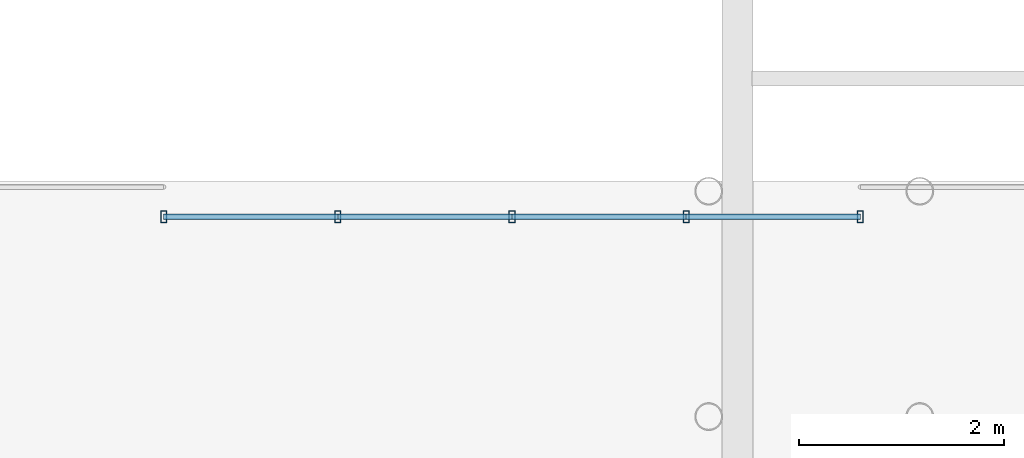
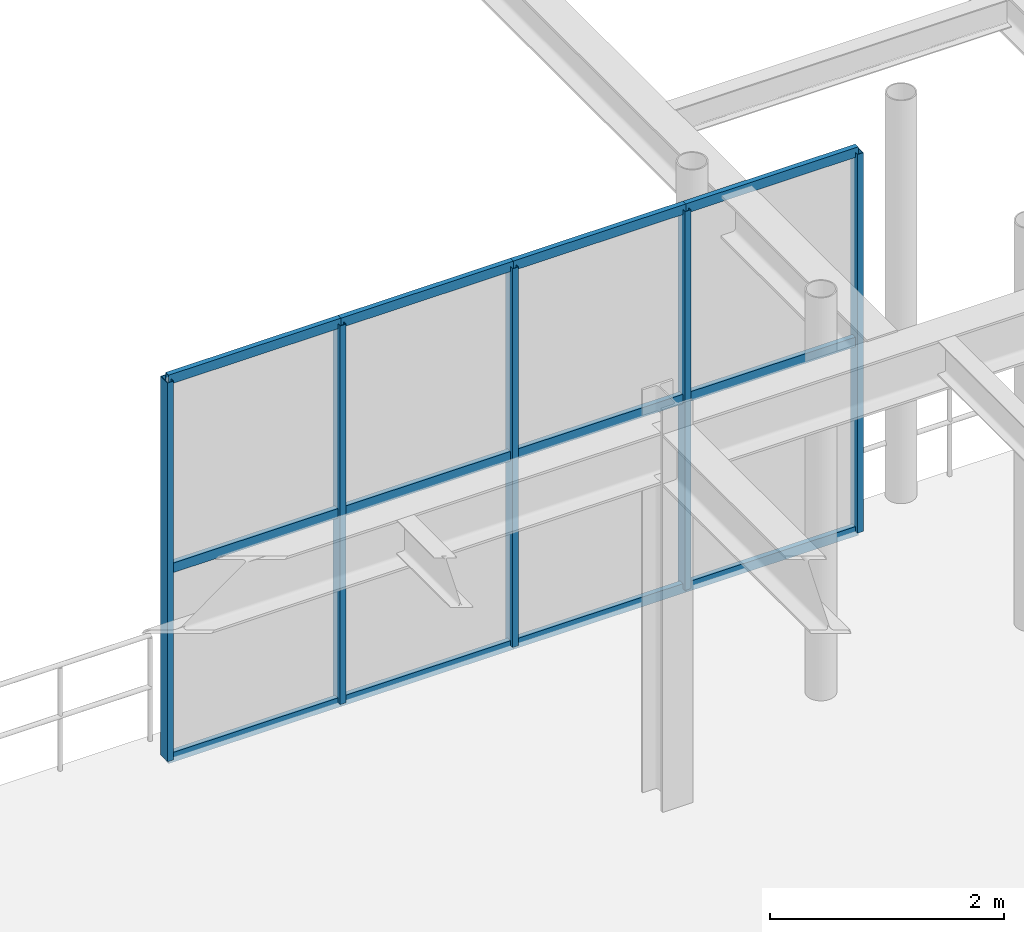
# One storey, part 23 of 122: 17 members, 1 element without a shape of its own.
"""IFC4 building model written with IfcOpenShell, lengths in metres."""

from ifc_helpers import new_model, si_unit, direction, frame, origin, origin_2d, place, context, subcontext, project, spatial, hollow_rectangle, extrude, material, material_profile, profile_set, type_object, element, aggregate, save


model = new_model("IFC4")

# Units and contexts
model_context = context("Model", 3, precision=1e-05, world=origin(), true_north=direction((0.0, 1.0)))
body_context = subcontext(model_context, "Body", "Model", "MODEL_VIEW")
ifc_project = project(units=[si_unit("LENGTHUNIT", "METRE"), si_unit("AREAUNIT", "SQUARE_METRE"), si_unit("VOLUMEUNIT", "CUBIC_METRE"), si_unit("PLANEANGLEUNIT", "RADIAN"), si_unit("MASSUNIT", "GRAM", prefix="KILO")], contexts=[model_context])

# Site, building, storey
site_placement = place(None, origin())
site = spatial("IfcSite", under=ifc_project, at=site_placement, CompositionType="ELEMENT")
building_placement = place(site_placement, origin())
building = spatial("IfcBuilding", under=site, at=building_placement, Name="Sundkrona Museum", CompositionType="ELEMENT")
storey_placement = place(building_placement, frame((0.0, 0.0, 5.39990234375)))
storey = spatial("IfcBuildingStorey", under=building, at=storey_placement, Name="L01", CompositionType="ELEMENT", Elevation=5.39990234375)

# Curtain wall, members
ifc_material_1 = material(Name="Unitised Aluminium-Steel and Ceramic-Clad Curtain Walling", Category="steel")
curtain_wall_type = type_object("IfcCurtainWallType", Name="CW-IN-68x36", PredefinedType="NOTDEFINED", material=ifc_material_1)
curtain_wall_placement = place(storey_placement, origin())
curtain_wall = element("IfcCurtainWall", 1, at=curtain_wall_placement, inside=storey, type_object=curtain_wall_type, Name="L01 Curtain Wall CW-L01-041", PredefinedType="NOTDEFINED")
ifc_material_2 = material(Name="Aluminium EN AW-6060 T66", Category="aluminium")
ifc_material_profile_1 = material_profile(ifc_material_2, hollow_rectangle(XDim=0.06005859375, YDim=0.1201171875, WallThickness=0.0048828125, at=origin_2d()), Name="RHS 120x60x5.0")
ifc_profile_set_1 = profile_set([ifc_material_profile_1], Name="Aluminium EN AW-6060 T66")
member_type_1 = type_object("IfcMemberType", Name="ML-120", PredefinedType="MULLION", material=ifc_profile_set_1)
member_1_placement = place(storey_placement, frame((92.60009765625, 10.64990234375, -0.00390625), z_axis=(0.0, 0.0, 1.0), x_axis=(1.0, 0.0, 0.0)))
member_1 = element("IfcMember", 2, at=member_1_placement, type_object=member_type_1, Name="CW-L01-041 Mullion 01", PredefinedType="MULLION", context=body_context, shape_type="SweptSolid", body=[
    extrude(hollow_rectangle(XDim=0.06005859375, YDim=0.1201171875, WallThickness=0.0048828125, at=origin_2d()), origin(), (0.0, 0.0, 1.0), 3.947998046875),
])
member_2_placement = place(storey_placement, frame((94.300048828125, 10.64990234375, -0.00390625), z_axis=(0.0, 0.0, 1.0), x_axis=(1.0, 0.0, 0.0)))
member_2 = element("IfcMember", 3, at=member_2_placement, type_object=member_type_1, Name="CW-L01-041 Mullion 02", PredefinedType="MULLION", context=body_context, shape_type="SweptSolid", body=[
    extrude(hollow_rectangle(XDim=0.06005859375, YDim=0.1201171875, WallThickness=0.0048828125, at=origin_2d()), origin(), (0.0, 0.0, 1.0), 3.947998046875),
])
member_3_placement = place(storey_placement, frame((96.0, 10.64990234375, -0.00390625), z_axis=(0.0, 0.0, 1.0), x_axis=(1.0, 0.0, 0.0)))
member_3 = element("IfcMember", 4, at=member_3_placement, type_object=member_type_1, Name="CW-L01-041 Mullion 03", PredefinedType="MULLION", context=body_context, shape_type="SweptSolid", body=[
    extrude(hollow_rectangle(XDim=0.06005859375, YDim=0.1201171875, WallThickness=0.0048828125, at=origin_2d()), origin(), (0.0, 0.0, 1.0), 3.947998046875),
])
member_4_placement = place(storey_placement, frame((97.699951171875, 10.64990234375, -0.00390625), z_axis=(0.0, 0.0, 1.0), x_axis=(1.0, 0.0, 0.0)))
member_4 = element("IfcMember", 5, at=member_4_placement, type_object=member_type_1, Name="CW-L01-041 Mullion 04", PredefinedType="MULLION", context=body_context, shape_type="SweptSolid", body=[
    extrude(hollow_rectangle(XDim=0.06005859375, YDim=0.1201171875, WallThickness=0.0048828125, at=origin_2d()), origin(), (0.0, 0.0, 1.0), 3.947998046875),
])
member_5_placement = place(storey_placement, frame((99.39990234375, 10.64990234375, -0.00390625), z_axis=(0.0, 0.0, 1.0), x_axis=(1.0, 0.0, 0.0)))
member_5 = element("IfcMember", 6, at=member_5_placement, type_object=member_type_1, Name="CW-L01-041 Mullion 05", PredefinedType="MULLION", context=body_context, shape_type="SweptSolid", body=[
    extrude(hollow_rectangle(XDim=0.06005859375, YDim=0.1201171875, WallThickness=0.0048828125, at=origin_2d()), origin(), (0.0, 0.0, 1.0), 3.947998046875),
])
ifc_material_profile_2 = material_profile(ifc_material_2, hollow_rectangle(XDim=0.050048828125, YDim=0.10009765625, WallThickness=0.0048828125, at=origin_2d()), Name="RHS 100x50x5.0")
ifc_profile_set_2 = profile_set([ifc_material_profile_2], Name="Aluminium EN AW-6060 T66")
member_type_2 = type_object("IfcMemberType", Name="TR-100", PredefinedType="USERDEFINED", material=ifc_profile_set_2)
member_6_placement = place(storey_placement, frame((92.60009765625, 10.64990234375, -0.00390625), z_axis=(1.0, 0.0, 0.0), x_axis=(0.0, 1.0, 0.0)))
member_6 = element("IfcMember", 7, at=member_6_placement, type_object=member_type_2, Name="CW-L01-041 Transom 01", ObjectType="TRANSOM", PredefinedType="USERDEFINED", context=body_context, shape_type="SweptSolid", body=[
    extrude(hollow_rectangle(XDim=0.050048828125, YDim=0.10009765625, WallThickness=0.0048828125, at=origin_2d()), origin(), (0.0, 0.0, 1.0), 1.699951171875),
])
member_7_placement = place(storey_placement, frame((92.60009765625, 10.64990234375, 1.97021484375), z_axis=(1.0, 0.0, 0.0), x_axis=(0.0, 1.0, 0.0)))
member_7 = element("IfcMember", 8, at=member_7_placement, type_object=member_type_2, Name="CW-L01-041 Transom 02", ObjectType="TRANSOM", PredefinedType="USERDEFINED", context=body_context, shape_type="SweptSolid", body=[
    extrude(hollow_rectangle(XDim=0.050048828125, YDim=0.10009765625, WallThickness=0.0048828125, at=origin_2d()), origin(), (0.0, 0.0, 1.0), 1.699951171875),
])
member_8_placement = place(storey_placement, frame((92.60009765625, 10.64990234375, 3.944091796875), z_axis=(1.0, 0.0, 0.0), x_axis=(0.0, 1.0, 0.0)))
member_8 = element("IfcMember", 9, at=member_8_placement, type_object=member_type_2, Name="CW-L01-041 Transom 03", ObjectType="TRANSOM", PredefinedType="USERDEFINED", context=body_context, shape_type="SweptSolid", body=[
    extrude(hollow_rectangle(XDim=0.050048828125, YDim=0.10009765625, WallThickness=0.0048828125, at=origin_2d()), origin(), (0.0, 0.0, 1.0), 1.699951171875),
])
member_9_placement = place(storey_placement, frame((94.300048828125, 10.64990234375, -0.00390625), z_axis=(1.0, 0.0, 0.0), x_axis=(0.0, 1.0, 0.0)))
member_9 = element("IfcMember", 10, at=member_9_placement, type_object=member_type_2, Name="CW-L01-041 Transom 04", ObjectType="TRANSOM", PredefinedType="USERDEFINED", context=body_context, shape_type="SweptSolid", body=[
    extrude(hollow_rectangle(XDim=0.050048828125, YDim=0.10009765625, WallThickness=0.0048828125, at=origin_2d()), origin(), (0.0, 0.0, 1.0), 1.699951171875),
])
member_10_placement = place(storey_placement, frame((94.300048828125, 10.64990234375, 1.97021484375), z_axis=(1.0, 0.0, 0.0), x_axis=(0.0, 1.0, 0.0)))
member_10 = element("IfcMember", 11, at=member_10_placement, type_object=member_type_2, Name="CW-L01-041 Transom 05", ObjectType="TRANSOM", PredefinedType="USERDEFINED", context=body_context, shape_type="SweptSolid", body=[
    extrude(hollow_rectangle(XDim=0.050048828125, YDim=0.10009765625, WallThickness=0.0048828125, at=origin_2d()), origin(), (0.0, 0.0, 1.0), 1.699951171875),
])
member_11_placement = place(storey_placement, frame((94.300048828125, 10.64990234375, 3.944091796875), z_axis=(1.0, 0.0, 0.0), x_axis=(0.0, 1.0, 0.0)))
member_11 = element("IfcMember", 12, at=member_11_placement, type_object=member_type_2, Name="CW-L01-041 Transom 06", ObjectType="TRANSOM", PredefinedType="USERDEFINED", context=body_context, shape_type="SweptSolid", body=[
    extrude(hollow_rectangle(XDim=0.050048828125, YDim=0.10009765625, WallThickness=0.0048828125, at=origin_2d()), origin(), (0.0, 0.0, 1.0), 1.699951171875),
])
member_12_placement = place(storey_placement, frame((96.0, 10.64990234375, -0.00390625), z_axis=(1.0, 0.0, 0.0), x_axis=(0.0, 1.0, 0.0)))
member_12 = element("IfcMember", 13, at=member_12_placement, type_object=member_type_2, Name="CW-L01-041 Transom 07", ObjectType="TRANSOM", PredefinedType="USERDEFINED", context=body_context, shape_type="SweptSolid", body=[
    extrude(hollow_rectangle(XDim=0.050048828125, YDim=0.10009765625, WallThickness=0.0048828125, at=origin_2d()), origin(), (0.0, 0.0, 1.0), 1.699951171875),
])
member_13_placement = place(storey_placement, frame((96.0, 10.64990234375, 1.97021484375), z_axis=(1.0, 0.0, 0.0), x_axis=(0.0, 1.0, 0.0)))
member_13 = element("IfcMember", 14, at=member_13_placement, type_object=member_type_2, Name="CW-L01-041 Transom 08", ObjectType="TRANSOM", PredefinedType="USERDEFINED", context=body_context, shape_type="SweptSolid", body=[
    extrude(hollow_rectangle(XDim=0.050048828125, YDim=0.10009765625, WallThickness=0.0048828125, at=origin_2d()), origin(), (0.0, 0.0, 1.0), 1.699951171875),
])
member_14_placement = place(storey_placement, frame((96.0, 10.64990234375, 3.944091796875), z_axis=(1.0, 0.0, 0.0), x_axis=(0.0, 1.0, 0.0)))
member_14 = element("IfcMember", 15, at=member_14_placement, type_object=member_type_2, Name="CW-L01-041 Transom 09", ObjectType="TRANSOM", PredefinedType="USERDEFINED", context=body_context, shape_type="SweptSolid", body=[
    extrude(hollow_rectangle(XDim=0.050048828125, YDim=0.10009765625, WallThickness=0.0048828125, at=origin_2d()), origin(), (0.0, 0.0, 1.0), 1.699951171875),
])
member_15_placement = place(storey_placement, frame((97.699951171875, 10.64990234375, -0.00390625), z_axis=(1.0, 0.0, 0.0), x_axis=(0.0, 1.0, 0.0)))
member_15 = element("IfcMember", 16, at=member_15_placement, type_object=member_type_2, Name="CW-L01-041 Transom 10", ObjectType="TRANSOM", PredefinedType="USERDEFINED", context=body_context, shape_type="SweptSolid", body=[
    extrude(hollow_rectangle(XDim=0.050048828125, YDim=0.10009765625, WallThickness=0.0048828125, at=origin_2d()), origin(), (0.0, 0.0, 1.0), 1.699951171875),
])
member_16_placement = place(storey_placement, frame((97.699951171875, 10.64990234375, 1.97021484375), z_axis=(1.0, 0.0, 0.0), x_axis=(0.0, 1.0, 0.0)))
member_16 = element("IfcMember", 17, at=member_16_placement, type_object=member_type_2, Name="CW-L01-041 Transom 11", ObjectType="TRANSOM", PredefinedType="USERDEFINED", context=body_context, shape_type="SweptSolid", body=[
    extrude(hollow_rectangle(XDim=0.050048828125, YDim=0.10009765625, WallThickness=0.0048828125, at=origin_2d()), origin(), (0.0, 0.0, 1.0), 1.699951171875),
])
member_17_placement = place(storey_placement, frame((97.699951171875, 10.64990234375, 3.944091796875), z_axis=(1.0, 0.0, 0.0), x_axis=(0.0, 1.0, 0.0)))
member_17 = element("IfcMember", 18, at=member_17_placement, type_object=member_type_2, Name="CW-L01-041 Transom 12", ObjectType="TRANSOM", PredefinedType="USERDEFINED", context=body_context, shape_type="SweptSolid", body=[
    extrude(hollow_rectangle(XDim=0.050048828125, YDim=0.10009765625, WallThickness=0.0048828125, at=origin_2d()), origin(), (0.0, 0.0, 1.0), 1.699951171875),
])
aggregate(curtain_wall, [member_1, member_2, member_3, member_4, member_5, member_6, member_7, member_8, member_9, member_10, member_11, member_12, member_13, member_14, member_15, member_16, member_17])

save(model, "model.ifc")
